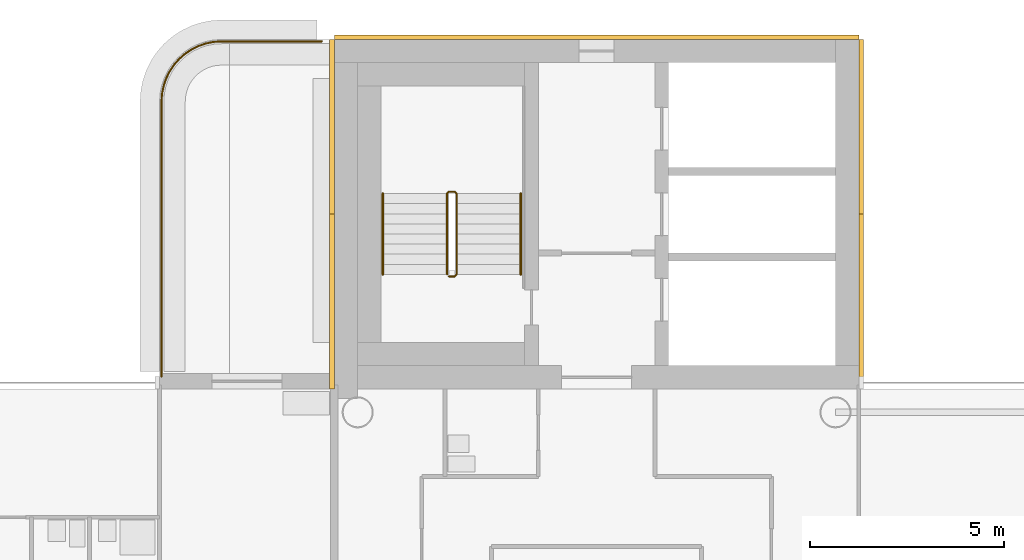
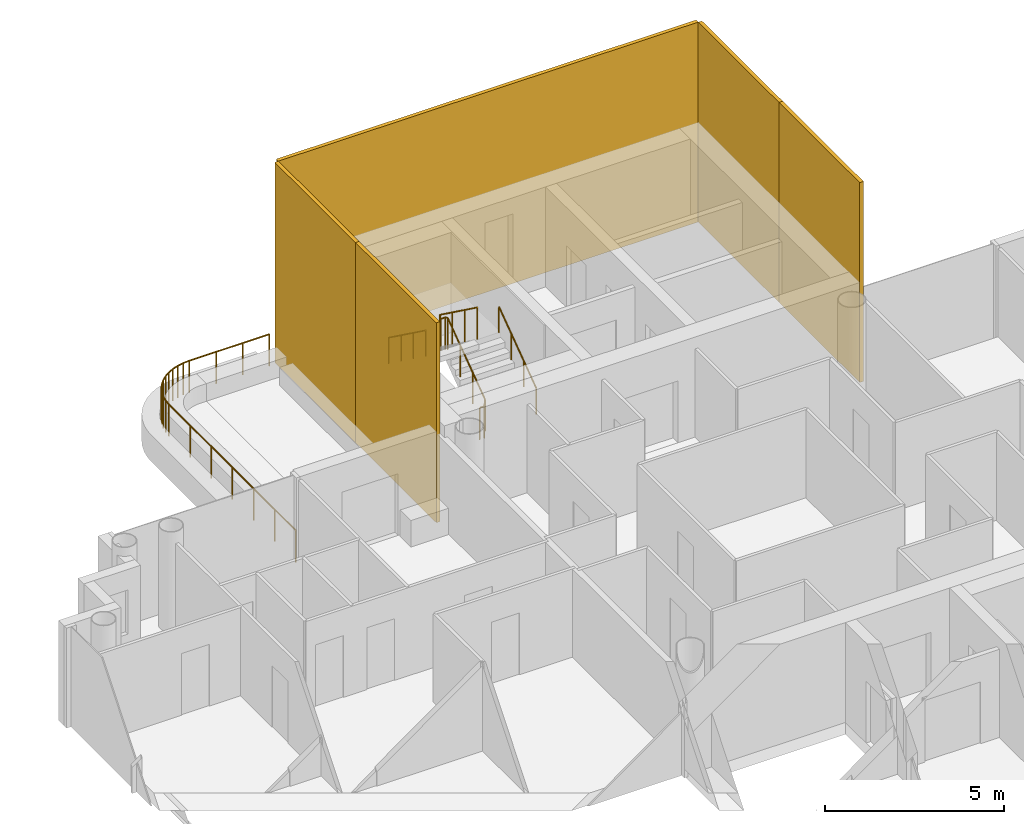
# One storey, part 17 of 18: 5 coverings, 4 railings.
"""IFC4 building model written with IfcOpenShell, lengths in metres."""

import ifcopenshell
import ifcopenshell.guid

model = None  # the IFC model being written
_history = None  # IfcOwnerHistory: only IFC2X3 demands one
_inside = {}  # id of a spatial element -> (the spatial element, [elements in it])
_under = {}  # id of a project, library or spatial element -> (it, [spatial elements below it])
_declared = {}  # id of a project -> (the project, [libraries it declares])
_typed = {}  # id of a type object -> (the type object, [elements of that type])
_made_of = {}  # id of a material, layer set ... -> (it, [elements and type objects made of it])


def new_model(schema):
    """Start an empty IFC model of exactly this schema.

    Asked for "IFC4X3", IfcOpenShell would pick the latest addendum, in which some entities
    have other attributes; the version numbers below select the first issue.
    IFC2X3 requires an IfcOwnerHistory on every rooted entity: one is made here for all.
    """
    global model, _history
    if schema == "IFC4X3":
        model = ifcopenshell.file(schema_version=(4, 3, 0, 0))
    else:
        model = ifcopenshell.file(schema=schema)
    _inside.clear()
    _under.clear()
    _declared.clear()
    _typed.clear()
    _made_of.clear()
    _history = None
    if model.schema == "IFC2X3":
        org = make("IfcOrganization", Name="unknown")
        user = make(
            "IfcPersonAndOrganization",
            ThePerson=make("IfcPerson", FamilyName="unknown"),
            TheOrganization=org,
        )
        app = make(
            "IfcApplication",
            ApplicationDeveloper=org,
            Version="unknown",
            ApplicationFullName="unknown",
            ApplicationIdentifier="unknown",
        )
        _history = make(
            "IfcOwnerHistory",
            OwningUser=user,
            OwningApplication=app,
            ChangeAction="ADDED",
            CreationDate=0,
        )
    return model


def make(cls, **values):
    """One entity of the class cls with the attributes given. An attribute that is None is left unset."""
    return model.create_entity(
        cls, **{name: value for name, value in values.items() if value is not None}
    )


def rooted(cls, **values):
    """An entity with a GlobalId (a new one), such as an element, a storey or a relation."""
    return make(cls, GlobalId=ifcopenshell.guid.new(), OwnerHistory=_history, **values)


def si_unit(unit_type, name, prefix=None):
    """IfcSIUnit, for example si_unit("LENGTHUNIT", "METRE", prefix="MILLI")."""
    return make("IfcSIUnit", UnitType=unit_type, Prefix=prefix, Name=name)


def assignment(units):
    """IfcUnitAssignment: the units of a project."""
    return None if units is None else make("IfcUnitAssignment", Units=units)


def point(xyz):
    """IfcCartesianPoint."""
    return None if xyz is None else make("IfcCartesianPoint", Coordinates=xyz)


def direction(xyz):
    """IfcDirection."""
    return None if xyz is None else make("IfcDirection", DirectionRatios=xyz)


def frame(location, z_axis=None, x_axis=None):
    """IfcAxis2Placement3D, a coordinate frame: its origin and axes. An axis left out is left unset."""
    return make(
        "IfcAxis2Placement3D",
        Location=point(location),
        Axis=direction(z_axis),
        RefDirection=direction(x_axis),
    )


def frame_2d(location, x_axis=None):
    """IfcAxis2Placement2D, a coordinate frame in the plane: its origin and x axis."""
    return make(
        "IfcAxis2Placement2D", Location=point(location), RefDirection=direction(x_axis)
    )


def origin():
    """The frame at (0, 0, 0) with its axes left unset."""
    return frame((0.0, 0.0, 0.0))


def origin_2d():
    """The frame at (0, 0) in the plane with its x axis left unset."""
    return frame_2d((0.0, 0.0))


def place(relative_to, where):
    """IfcLocalPlacement: puts the frame where relative to a parent placement (None: the world)."""
    return make(
        "IfcLocalPlacement", PlacementRelTo=relative_to, RelativePlacement=where
    )


def context(
    kind, dimensions, precision=None, world=None, true_north=None, identifier=None
):
    """IfcGeometricRepresentationContext, for example the 3D "Model" context."""
    return make(
        "IfcGeometricRepresentationContext",
        ContextIdentifier=identifier,
        ContextType=kind,
        CoordinateSpaceDimension=dimensions,
        Precision=precision,
        WorldCoordinateSystem=world,
        TrueNorth=true_north,
    )


def subcontext(parent, identifier, kind, view, scale=None):
    """IfcGeometricRepresentationSubContext, for example "Body" below "Model"."""
    return make(
        "IfcGeometricRepresentationSubContext",
        ContextIdentifier=identifier,
        ContextType=kind,
        ParentContext=parent,
        TargetScale=scale,
        TargetView=view,
    )


def project(units=None, contexts=None):
    """IfcProject with its units and contexts."""
    return rooted(
        "IfcProject",
        Name="project",
        RepresentationContexts=contexts,
        UnitsInContext=assignment(units),
    )


def spatial(cls, under=None, at=None, **own):
    """A site, building, storey or space (cls), placed at a placement, below another one or the project."""
    s = rooted(cls, ObjectPlacement=at, **own)
    if under is not None:
        _under.setdefault(under.id(), (under, []))[1].append(s)
    return s


def profile(cls, at=None, kind="AREA", **sizes):
    """A parametric profile (cls). Its sizes go by their IFC names, for example OverallWidth=200.0."""
    return make(cls, ProfileType=kind, Position=at, **sizes)


def rectangle(**sizes):
    """IfcRectangleProfileDef."""
    return profile("IfcRectangleProfileDef", **sizes)


def circle(**sizes):
    """IfcCircleProfileDef."""
    return profile("IfcCircleProfileDef", **sizes)


def extrude(swept, where, along, depth):
    """IfcExtrudedAreaSolid: the profile swept, set in the frame where, extruded along a direction by depth."""
    return make(
        "IfcExtrudedAreaSolid",
        SweptArea=swept,
        Position=where,
        ExtrudedDirection=direction(along),
        Depth=depth,
    )


def shape(context_of_items, identifier, shape_type, items):
    """IfcShapeRepresentation: the items that make up one representation, for example the "Body"."""
    return make(
        "IfcShapeRepresentation",
        ContextOfItems=context_of_items,
        RepresentationIdentifier=identifier,
        RepresentationType=shape_type,
        Items=items,
    )


def material(Name=None, Category=None):
    """IfcMaterial."""
    return make("IfcMaterial", Name=Name, Category=Category)


def layer(
    of_material, thickness, ventilated=None, Name=None, Category=None, Priority=None
):
    """IfcMaterialLayer: one layer of a wall or slab, of a material (None: an air gap)."""
    return make(
        "IfcMaterialLayer",
        Material=of_material,
        LayerThickness=thickness,
        IsVentilated=ventilated,
        Name=Name,
        Category=Category,
        Priority=Priority,
    )


def layer_set(layers, Name=None):
    """IfcMaterialLayerSet."""
    return make("IfcMaterialLayerSet", MaterialLayers=layers, LayerSetName=Name)


def made_of(thing, what):
    """Note that an element or type object is made of a material, layer set ...; save() writes the relation."""
    if what is not None:
        _made_of.setdefault(what.id(), (what, []))[1].append(thing)
    return thing


def type_object(cls, material=None, **own):
    """A type object (cls), such as IfcWallType, which elements share."""
    return made_of(rooted(cls, **own), material)


def element(
    cls,
    number,
    at=None,
    inside=None,
    cuts=None,
    type_object=None,
    material=None,
    context=None,
    identifier="Body",
    shape_type=None,
    held_by="IfcProductDefinitionShape",
    body=None,
    shapes=None,
    **own,
):
    """One element of the class cls, such as IfcWall. Its Tag is "e" and its number.

    at: its placement. inside: the storey or other place that contains it. cuts: it is an
    opening in that element (IfcRelVoidsElement). A single representation is given by context,
    identifier, shape_type and body (its items); several are given by shapes. held_by: the class
    of the entity that holds the representations. save() writes the other relations.
    """
    e = rooted(cls, Tag="e%d" % number, ObjectPlacement=at, **own)
    if body is not None:
        shapes = [shape(context, identifier, shape_type, body)]
    if shapes is not None:
        e.Representation = make(held_by, Representations=shapes)
    if inside is not None:
        _inside.setdefault(inside.id(), (inside, []))[1].append(e)
    if cuts is not None:
        rooted(
            "IfcRelVoidsElement", RelatingBuildingElement=cuts, RelatedOpeningElement=e
        )
    if type_object is not None:
        _typed.setdefault(type_object.id(), (type_object, []))[1].append(e)
    return made_of(e, material)


def aggregate(whole, parts):
    """IfcRelAggregates: a whole, such as a stair, and the parts it consists of."""
    return rooted("IfcRelAggregates", RelatingObject=whole, RelatedObjects=parts)


def save(model, path):
    """Write the relations noted so far, then the file.

    IfcRelAggregates (storeys below a building ...), IfcRelContainedInSpatialStructure (elements
    in a storey), IfcRelDefinesByType, IfcRelAssociatesMaterial and IfcRelDeclares: one each for
    every whole, place, type object, material and project.
    """
    for whole, parts in _under.values():
        aggregate(whole, parts)
    for where, things in _inside.values():
        rooted(
            "IfcRelContainedInSpatialStructure",
            RelatedElements=things,
            RelatingStructure=where,
        )
    for kind, things in _typed.values():
        rooted("IfcRelDefinesByType", RelatedObjects=things, RelatingType=kind)
    for what, things in _made_of.values():
        rooted("IfcRelAssociatesMaterial", RelatedObjects=things, RelatingMaterial=what)
    for by, libraries in _declared.values():
        rooted("IfcRelDeclares", RelatingContext=by, RelatedDefinitions=libraries)
    model.write(path)


model = new_model("IFC4")

# Units and contexts
model_context = context("Model", 3, precision=1e-05, world=origin(), true_north=direction((0.0, 1.0)))
body_context = subcontext(model_context, "Body", "Model", "MODEL_VIEW")
ifc_project = project(units=[si_unit("LENGTHUNIT", "METRE"), si_unit("AREAUNIT", "SQUARE_METRE"), si_unit("VOLUMEUNIT", "CUBIC_METRE"), si_unit("PLANEANGLEUNIT", "RADIAN"), si_unit("MASSUNIT", "GRAM", prefix="KILO")], contexts=[model_context])

# Site, building, storey
site_placement = place(None, origin())
site = spatial("IfcSite", under=ifc_project, at=site_placement, CompositionType="ELEMENT")
building_placement = place(site_placement, origin())
building = spatial("IfcBuilding", under=site, at=building_placement, Name="Ipe Terrace Towers", CompositionType="ELEMENT")
storey_placement = place(building_placement, frame((0.0, 0.0, 199.39990234375)))
storey = spatial("IfcBuildingStorey", under=building, at=storey_placement, Name="L55", CompositionType="ELEMENT", Elevation=199.39990234375)

# Railing
ifc_material_1 = material(Name="Stainless steel S316", Category="steel")
railing_type_1 = type_object("IfcRailingType", Name="GUARD 1100", PredefinedType="BALUSTRADE", material=ifc_material_1)
railing_1_placement = place(storey_placement, frame((28.929931640625, 15.699951171875, -0.02001953125)))
element("IfcRailing", 1, at=railing_1_placement, inside=storey, type_object=railing_type_1, Name="guard", PredefinedType="BALUSTRADE", context=body_context, shape_type="SweptSolid", body=[
    extrude(circle(Radius=0.02392578125, at=origin_2d()), frame((0.0, 0.0, 1.076171875), z_axis=(-1.0, 0.0, 0.0), x_axis=(0.0, -1.0, 0.0)), (0.0, 0.0, 1.0), 2.577880859375),
    extrude(circle(Radius=0.02392578125, at=origin_2d()), frame((-2.577880859375, 0.0, 1.076171875), z_axis=(-0.997996439513, -0.063270109204, 0.0), x_axis=(0.063270109204, -0.997996439513, 0.0)), (0.0, 0.0, 1.0), 0.20458984375),
    extrude(circle(Radius=0.02392578125, at=origin_2d()), frame((-2.781982421875, -0.012939453125, 1.076171875), z_axis=(-0.980348670139, -0.197272615832, 0.0), x_axis=(0.197272615832, -0.980348670139, 0.0)), (0.0, 0.0, 1.0), 0.202880859375),
    extrude(circle(Radius=0.02392578125, at=origin_2d()), frame((-2.98095703125, -0.052978515625, 1.076171875), z_axis=(-0.947227229435, -0.320562904618, 0.0), x_axis=(0.320562904618, -0.947227229435, 0.0)), (0.0, 0.0, 1.0), 0.20263671875),
    extrude(circle(Radius=0.02392578125, at=origin_2d()), frame((-3.1728515625, -0.117919921875, 1.076171875), z_axis=(-0.896341374877, -0.443364567466, 0.0), x_axis=(0.443364567466, -0.896341374877, 0.0)), (0.0, 0.0, 1.0), 0.203125),
    extrude(circle(Radius=0.02392578125, at=origin_2d()), frame((-3.35498046875, -0.2080078125, 1.076171875), z_axis=(-0.833344910936, -0.552753344103, 0.0), x_axis=(0.552753344103, -0.833344910936, 0.0)), (0.0, 0.0, 1.0), 0.20263671875),
    extrude(circle(Radius=0.02392578125, at=origin_2d()), frame((-3.52392578125, -0.320068359375, 1.076171875), z_axis=(-0.750856952854, -0.660464863827, 0.0), x_axis=(0.660464863827, -0.750856952854, 0.0)), (0.0, 0.0, 1.0), 0.20263671875),
    extrude(circle(Radius=0.02392578125, at=origin_2d()), frame((-3.676025390625, -0.453857421875, 1.076171875), z_axis=(-0.660464863827, -0.750856952854, 0.0), x_axis=(0.750856952854, -0.660464863827, 0.0)), (0.0, 0.0, 1.0), 0.20263671875),
    extrude(circle(Radius=0.02392578125, at=origin_2d()), frame((-3.809814453125, -0.60595703125, 1.076171875), z_axis=(-0.552753344103, -0.833344910936, 0.0), x_axis=(0.833344910936, -0.552753344103, 0.0)), (0.0, 0.0, 1.0), 0.20263671875),
    extrude(circle(Radius=0.02392578125, at=origin_2d()), frame((-3.921875, -0.77490234375, 1.076171875), z_axis=(-0.443364567466, -0.896341374877, 0.0), x_axis=(0.896341374877, -0.443364567466, 0.0)), (0.0, 0.0, 1.0), 0.203125),
    extrude(circle(Radius=0.02392578125, at=origin_2d()), frame((-4.011962890625, -0.95703125, 1.076171875), z_axis=(-0.320562904618, -0.947227229435, 0.0), x_axis=(0.947227229435, -0.320562904618, 0.0)), (0.0, 0.0, 1.0), 0.20263671875),
    extrude(circle(Radius=0.02392578125, at=origin_2d()), frame((-4.076904296875, -1.14892578125, 1.076171875), z_axis=(-0.197272615832, -0.980348670139, 0.0), x_axis=(0.980348670139, -0.197272615832, 0.0)), (0.0, 0.0, 1.0), 0.202880859375),
    extrude(circle(Radius=0.02392578125, at=origin_2d()), frame((-4.116943359375, -1.347900390625, 1.076171875), z_axis=(-0.063270109204, -0.997996439513, 0.0), x_axis=(0.997996439513, -0.063270109204, 0.0)), (0.0, 0.0, 1.0), 0.20458984375),
    extrude(circle(Radius=0.02392578125, at=origin_2d()), frame((-4.1298828125, -1.552001953125, 1.076171875), z_axis=(0.0, -1.0, 0.0), x_axis=(1.0, 0.0, 0.0)), (0.0, 0.0, 1.0), 7.077880859375),
    extrude(circle(Radius=0.02099609375, at=origin_2d()), origin(), (0.0, 0.0, 1.0), 1.052001953125),
    extrude(circle(Radius=0.02099609375, at=origin_2d()), frame((-0.859375, 0.0, 0.0)), (0.0, 0.0, 1.0), 1.052001953125),
    extrude(circle(Radius=0.02099609375, at=origin_2d()), frame((-1.718505859375, 0.0, 0.0)), (0.0, 0.0, 1.0), 1.052001953125),
    extrude(circle(Radius=0.02099609375, at=origin_2d()), frame((-2.577880859375, 0.0, 0.0)), (0.0, 0.0, 1.0), 1.052001953125),
    extrude(circle(Radius=0.02099609375, at=origin_2d()), frame((-2.781982421875, -0.012939453125, 0.0)), (0.0, 0.0, 1.0), 1.052001953125),
    extrude(circle(Radius=0.02099609375, at=origin_2d()), frame((-2.98095703125, -0.052978515625, 0.0)), (0.0, 0.0, 1.0), 1.052001953125),
    extrude(circle(Radius=0.02099609375, at=origin_2d()), frame((-3.1728515625, -0.117919921875, 0.0)), (0.0, 0.0, 1.0), 1.052001953125),
    extrude(circle(Radius=0.02099609375, at=origin_2d()), frame((-3.35498046875, -0.2080078125, 0.0)), (0.0, 0.0, 1.0), 1.052001953125),
    extrude(circle(Radius=0.02099609375, at=origin_2d()), frame((-3.52392578125, -0.320068359375, 0.0)), (0.0, 0.0, 1.0), 1.052001953125),
    extrude(circle(Radius=0.02099609375, at=origin_2d()), frame((-3.676025390625, -0.453857421875, 0.0)), (0.0, 0.0, 1.0), 1.052001953125),
    extrude(circle(Radius=0.02099609375, at=origin_2d()), frame((-3.809814453125, -0.60595703125, 0.0)), (0.0, 0.0, 1.0), 1.052001953125),
    extrude(circle(Radius=0.02099609375, at=origin_2d()), frame((-3.921875, -0.77490234375, 0.0)), (0.0, 0.0, 1.0), 1.052001953125),
    extrude(circle(Radius=0.02099609375, at=origin_2d()), frame((-4.011962890625, -0.95703125, 0.0)), (0.0, 0.0, 1.0), 1.052001953125),
    extrude(circle(Radius=0.02099609375, at=origin_2d()), frame((-4.076904296875, -1.14892578125, 0.0)), (0.0, 0.0, 1.0), 1.052001953125),
    extrude(circle(Radius=0.02099609375, at=origin_2d()), frame((-4.116943359375, -1.347900390625, 0.0)), (0.0, 0.0, 1.0), 1.052001953125),
    extrude(circle(Radius=0.02099609375, at=origin_2d()), frame((-4.1298828125, -1.552001953125, 0.0)), (0.0, 0.0, 1.0), 1.052001953125),
    extrude(circle(Radius=0.02099609375, at=origin_2d()), frame((-4.1298828125, -2.731689453125, 0.0)), (0.0, 0.0, 1.0), 1.052001953125),
    extrude(circle(Radius=0.02099609375, at=origin_2d()), frame((-4.1298828125, -3.911376953125, 0.0)), (0.0, 0.0, 1.0), 1.052001953125),
    extrude(circle(Radius=0.02099609375, at=origin_2d()), frame((-4.1298828125, -5.0908203125, 0.0)), (0.0, 0.0, 1.0), 1.052001953125),
    extrude(circle(Radius=0.02099609375, at=origin_2d()), frame((-4.1298828125, -6.2705078125, 0.0)), (0.0, 0.0, 1.0), 1.052001953125),
    extrude(circle(Radius=0.02099609375, at=origin_2d()), frame((-4.1298828125, -7.4501953125, 0.0)), (0.0, 0.0, 1.0), 1.052001953125),
    extrude(circle(Radius=0.02099609375, at=origin_2d()), frame((-4.1298828125, -8.6298828125, 0.0)), (0.0, 0.0, 1.0), 1.052001953125),
])

# Coverings
ifc_material_2 = material(Name="Concrete C50/60 precast, buff finish", Category="concrete")
ifc_layer = layer(ifc_material_2, 0.1201171875)
ifc_layer_set = layer_set([ifc_layer], Name="STONE CORE CLADDING 120")
covering_type = type_object("IfcCoveringType", Name="STONE CORE CLADDING 120", PredefinedType="CLADDING", material=ifc_layer_set)
for number, where, z_axis, x_axis, name in (
    (2, (29.18994140625, 9.0, 0.0), (0.0, 0.0, 1.0), (0.0, -1.0, 0.0), "stone core cladding"),
    (3, (29.18994140625, 13.5, 0.0), (0.0, 0.0, 1.0), (0.0, -1.0, 0.0), "stone core cladding"),
    (4, (42.81005859375, 9.0, 0.0), (0.0, 0.0, 1.0), (0.0, 1.0, 0.0), "stone core cladding"),
    (5, (42.81005859375, 13.5, 0.0), (0.0, 0.0, 1.0), (0.0, 1.0, 0.0), "stone core cladding"),
):
    element("IfcCovering", number, at=place(storey_placement, frame(where, z_axis=z_axis, x_axis=x_axis)), inside=storey, type_object=covering_type, Name=name, PredefinedType="CLADDING", context=body_context, shape_type="SweptSolid", body=[
        extrude(rectangle(XDim=4.5, YDim=0.1201171875, at=origin_2d()), origin(), (0.0, 0.0, 1.0), 6.800048828125),
    ])
covering_placement = place(storey_placement, frame((36.0, 15.81005859375, 0.0), z_axis=(0.0, 0.0, 1.0), x_axis=(-1.0, 0.0, 0.0)))
element("IfcCovering", 6, at=covering_placement, inside=storey, type_object=covering_type, Name="stone core cladding", PredefinedType="CLADDING", context=body_context, shape_type="SweptSolid", body=[
    extrude(rectangle(XDim=13.5, YDim=0.1201171875, at=origin_2d()), origin(), (0.0, 0.0, 1.0), 6.800048828125),
])

# Railings
ifc_material_3 = material(Name="Steel S355", Category="steel")
railing_type_2 = type_object("IfcRailingType", Name="Stair guard 1100", PredefinedType="GUARDRAIL", material=ifc_material_3)
railing_2_placement = place(storey_placement, frame((32.199951171875, 9.64990234375, 0.0)))
element("IfcRailing", 7, at=railing_2_placement, inside=storey, type_object=railing_type_2, Name="L55 T2-ST1 stair guard 1", PredefinedType="GUARDRAIL", context=body_context, shape_type="SweptSolid", body=[
    extrude(circle(Radius=0.02392578125, at=origin_2d()), frame((0.0, 0.0, 1.076171875), z_axis=(1.0, 0.0, 0.0), x_axis=(0.0, 1.0, 0.0)), (0.0, 0.0, 1.0), 0.150146484375),
    extrude(circle(Radius=0.02392578125, at=origin_2d()), frame((0.150146484375, 0.0, 1.076171875), z_axis=(0.246893586699, 0.248103849378, 0.936743314239), x_axis=(-0.708833529934, 0.705375805398, 0.0)), (0.0, 0.0, 1.0), 0.20166015625),
    extrude(circle(Radius=0.02392578125, at=origin_2d()), frame((0.199951171875, 0.050048828125, 1.26513671875), z_axis=(0.0, 0.809023421508, 0.587776406001), x_axis=(-1.0, 0.0, 0.0)), (0.0, 0.0, 1.0), 2.571044921875),
    extrude(circle(Radius=0.02392578125, at=origin_2d()), frame((0.199951171875, 2.130126953125, 2.7763671875), z_axis=(-0.705375805398, 0.708833529934, 0.0), x_axis=(-0.708833529934, -0.705375805398, 0.0)), (0.0, 0.0, 1.0), 0.070556640625),
    extrude(circle(Radius=0.02392578125, at=origin_2d()), frame((0.150146484375, 2.18017578125, 2.7763671875), z_axis=(-1.0, 0.0, 0.0), x_axis=(0.0, -1.0, 0.0)), (0.0, 0.0, 1.0), 0.150146484375),
    extrude(circle(Radius=0.02392578125, at=origin_2d()), frame((0.0, 2.18017578125, 2.7763671875), z_axis=(-0.248310886586, -0.248310886586, 0.936313733321), x_axis=(0.707106781187, -0.707106781187, 0.0)), (0.0, 0.0, 1.0), 0.20166015625),
    extrude(circle(Radius=0.02392578125, at=origin_2d()), frame((-0.050048828125, 2.130126953125, 2.96484375), z_axis=(0.0, -0.809023421508, 0.587776406001), x_axis=(1.0, 0.0, 0.0)), (0.0, 0.0, 1.0), 2.571044921875),
    extrude(circle(Radius=0.02099609375, at=origin_2d()), origin(), (0.0, 0.0, 1.0), 1.052001953125),
    extrude(circle(Radius=0.02099609375, at=origin_2d()), frame((0.150146484375, 0.0, 0.0)), (0.0, 0.0, 1.0), 1.052001953125),
    extrude(circle(Radius=0.02099609375, at=origin_2d()), frame((0.199951171875, 0.050048828125, 0.18896484375)), (0.0, 0.0, 1.0), 1.052001953125),
    extrude(circle(Radius=0.02099609375, at=origin_2d()), frame((0.199951171875, 0.743408203125, 0.692626953125)), (0.0, 0.0, 1.0), 1.052001953125),
    extrude(circle(Radius=0.02099609375, at=origin_2d()), frame((0.199951171875, 1.436767578125, 1.196533203125)), (0.0, 0.0, 1.0), 1.052001953125),
    extrude(circle(Radius=0.02099609375, at=origin_2d()), frame((0.199951171875, 2.130126953125, 1.7001953125)), (0.0, 0.0, 1.0), 1.052001953125),
    extrude(circle(Radius=0.02099609375, at=origin_2d()), frame((0.150146484375, 2.18017578125, 1.7001953125)), (0.0, 0.0, 1.0), 1.052001953125),
    extrude(circle(Radius=0.02099609375, at=origin_2d()), frame((0.0, 2.18017578125, 1.7001953125)), (0.0, 0.0, 1.0), 1.052001953125),
    extrude(circle(Radius=0.02099609375, at=origin_2d()), frame((-0.050048828125, 2.130126953125, 1.888916015625)), (0.0, 0.0, 1.0), 1.052001953125),
    extrude(circle(Radius=0.02099609375, at=origin_2d()), frame((-0.050048828125, 1.436767578125, 2.392578125)), (0.0, 0.0, 1.0), 1.052001953125),
    extrude(circle(Radius=0.02099609375, at=origin_2d()), frame((-0.050048828125, 0.743408203125, 2.896484375)), (0.0, 0.0, 1.0), 1.052001953125),
    extrude(circle(Radius=0.02099609375, at=origin_2d()), frame((-0.050048828125, 0.050048828125, 3.400146484375)), (0.0, 0.0, 1.0), 1.052001953125),
])
ifc_material_4 = material(Name="Stainless steel grade 304", Category="steel")
railing_type_3 = type_object("IfcRailingType", Name="Stair handrail 900", PredefinedType="HANDRAIL", material=ifc_material_4)
railing_3_placement = place(storey_placement, frame((34.050048828125, 9.699951171875, 0.18896484375)))
element("IfcRailing", 8, at=railing_3_placement, inside=storey, type_object=railing_type_3, Name="L55 T2-ST1 stair handrail 1", PredefinedType="HANDRAIL", context=body_context, shape_type="SweptSolid", body=[
    extrude(circle(Radius=0.02392578125, at=origin_2d()), frame((0.0, 0.0, 0.8759765625), z_axis=(0.0, 0.809023421508, 0.587776406001), x_axis=(-1.0, 0.0, 0.0)), (0.0, 0.0, 1.0), 2.571044921875),
    extrude(circle(Radius=0.02099609375, at=origin_2d()), origin(), (0.0, 0.0, 1.0), 0.851806640625),
    extrude(circle(Radius=0.02099609375, at=origin_2d()), frame((0.0, 0.693359375, 0.503662109375)), (0.0, 0.0, 1.0), 0.851806640625),
    extrude(circle(Radius=0.02099609375, at=origin_2d()), frame((0.0, 1.38671875, 1.007568359375)), (0.0, 0.0, 1.0), 0.851806640625),
    extrude(circle(Radius=0.02099609375, at=origin_2d()), frame((0.0, 2.080078125, 1.51123046875)), (0.0, 0.0, 1.0), 0.851806640625),
])
railing_4_placement = place(storey_placement, frame((30.5, 11.780029296875, 1.888916015625)))
element("IfcRailing", 9, at=railing_4_placement, inside=storey, type_object=railing_type_3, Name="L55 T2-ST1 stair handrail 2", PredefinedType="HANDRAIL", context=body_context, shape_type="SweptSolid", body=[
    extrude(circle(Radius=0.02392578125, at=origin_2d()), frame((0.0, 0.0, 0.8759765625), z_axis=(0.0, -0.809023421508, 0.587776406001), x_axis=(1.0, 0.0, 0.0)), (0.0, 0.0, 1.0), 2.571044921875),
    extrude(circle(Radius=0.02099609375, at=origin_2d()), origin(), (0.0, 0.0, 1.0), 0.851806640625),
    extrude(circle(Radius=0.02099609375, at=origin_2d()), frame((0.0, -0.693359375, 0.503662109375)), (0.0, 0.0, 1.0), 0.851806640625),
    extrude(circle(Radius=0.02099609375, at=origin_2d()), frame((0.0, -1.38671875, 1.007568359375)), (0.0, 0.0, 1.0), 0.851806640625),
    extrude(circle(Radius=0.02099609375, at=origin_2d()), frame((0.0, -2.080078125, 1.51123046875)), (0.0, 0.0, 1.0), 0.851806640625),
])

save(model, "model.ifc")
